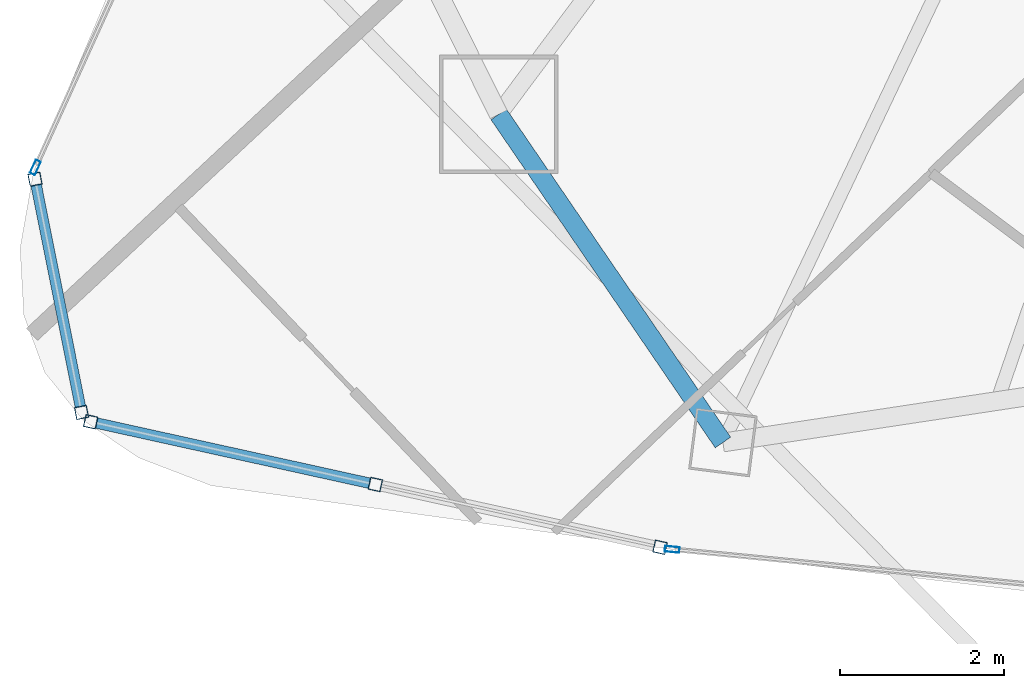
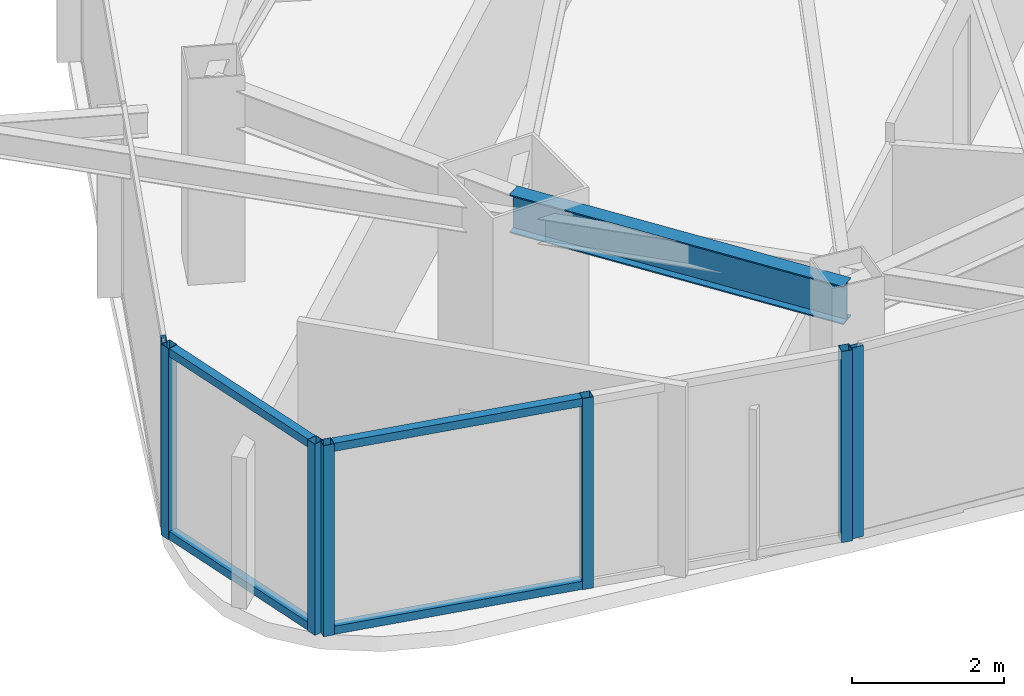
# One storey, part 2 of 29: 11 members, 1 beam, 4 elements without a shape of their own.
"""IFC4 building model written with IfcOpenShell, lengths in metres."""

from ifc_helpers import new_model, si_unit, direction, frame, origin, origin_2d, place, context, subcontext, project, spatial, hollow_rectangle, i_section, extrude, material, layer, layer_set, material_profile, profile_set, type_object, element, aggregate, save


model = new_model("IFC4")

# Units and contexts
model_context = context("Model", 3, precision=1e-05, world=origin(), true_north=direction((0.0, 1.0)))
body_context = subcontext(model_context, "Body", "Model", "MODEL_VIEW")
ifc_project = project(units=[si_unit("LENGTHUNIT", "METRE"), si_unit("AREAUNIT", "SQUARE_METRE"), si_unit("VOLUMEUNIT", "CUBIC_METRE"), si_unit("PLANEANGLEUNIT", "RADIAN"), si_unit("MASSUNIT", "GRAM", prefix="KILO")], contexts=[model_context])

# Site, building, storey
site_placement = place(None, origin())
site = spatial("IfcSite", under=ifc_project, at=site_placement, CompositionType="ELEMENT")
building_placement = place(site_placement, origin())
building = spatial("IfcBuilding", under=site, at=building_placement, Name="Orvanel Arch Residences", CompositionType="ELEMENT")
storey_placement = place(building_placement, frame((0.0, 0.0, 173.75)))
storey = spatial("IfcBuildingStorey", under=building, at=storey_placement, Name="L49", CompositionType="ELEMENT", Elevation=173.75)

# Curtain wall, members
ifc_material_1 = material(Name="Bronze-anodised aluminium AA6063-T6", Category="aluminium")
ifc_layer_1 = layer(ifc_material_1, 0.18994140625)
ifc_layer_set_1 = layer_set([ifc_layer_1], Name="Bronze-anodised aluminium AA6063-T6")
curtain_wall_type_1 = type_object("IfcCurtainWallType", Name="CW5-CRN-SYS", PredefinedType="NOTDEFINED", material=ifc_layer_set_1)
curtain_wall_1_placement = place(storey_placement, origin())
curtain_wall_1 = element("IfcCurtainWall", 1, at=curtain_wall_1_placement, inside=storey, type_object=curtain_wall_type_1, Name="L49 CW5-CRN-SYS Unitised Curtain Wall", PredefinedType="NOTDEFINED")
ifc_material_profile_1 = material_profile(ifc_material_1, hollow_rectangle(XDim=0.14990234375, YDim=0.14990234375, WallThickness=0.0048828125, at=origin_2d()), Name="ALU150x150x5")
ifc_profile_set_1 = profile_set([ifc_material_profile_1], Name="Bronze-anodised aluminium AA6063-T6")
member_type_1 = type_object("IfcMemberType", Name="MUL-150x150", PredefinedType="MULLION", material=ifc_profile_set_1)
member_1_placement = place(storey_placement, frame((8.52978515625, 9.558349609375, 0.0), z_axis=(0.0, 0.0, 1.0), x_axis=(0.980693707054, 0.19555012898, 0.0)))
member_1 = element("IfcMember", 2, at=member_1_placement, type_object=member_type_1, Name="CW-S5 mullion 1", PredefinedType="MULLION", context=body_context, shape_type="SweptSolid", body=[
    extrude(hollow_rectangle(XDim=0.14990234375, YDim=0.14990234375, WallThickness=0.0048828125, at=origin_2d()), origin(), (0.0, 0.0, 1.0), 3.06005859375),
])
member_2_placement = place(storey_placement, frame((9.098388671875, 6.70654296875, 0.0), z_axis=(0.0, 0.0, 1.0), x_axis=(0.980693707054, 0.19555012898, 0.0)))
member_2 = element("IfcMember", 3, at=member_2_placement, type_object=member_type_1, Name="CW-S5 mullion 2", PredefinedType="MULLION", context=body_context, shape_type="SweptSolid", body=[
    extrude(hollow_rectangle(XDim=0.14990234375, YDim=0.14990234375, WallThickness=0.0048828125, at=origin_2d()), origin(), (0.0, 0.0, 1.0), 3.06005859375),
])

curtain_wall_2_placement = place(storey_placement, origin())
curtain_wall_2 = element("IfcCurtainWall", 4, at=curtain_wall_2_placement, inside=storey, type_object=curtain_wall_type_1, Name="L49 CW5-CRN-SYS Unitised Curtain Wall", PredefinedType="NOTDEFINED")
member_3_placement = place(storey_placement, frame((9.210205078125, 6.5927734375, 0.0), z_axis=(0.0, 0.0, 1.0), x_axis=(0.2152863482, 0.97655096553, 0.0)))
member_3 = element("IfcMember", 5, at=member_3_placement, type_object=member_type_1, Name="CW-S5 mullion 1", PredefinedType="MULLION", context=body_context, shape_type="SweptSolid", body=[
    extrude(hollow_rectangle(XDim=0.14990234375, YDim=0.14990234375, WallThickness=0.0048828125, at=origin_2d()), origin(), (0.0, 0.0, 1.0), 3.06005859375),
])
member_4_placement = place(storey_placement, frame((12.69091796875, 5.825439453125, 0.0), z_axis=(0.0, 0.0, 1.0), x_axis=(0.2152863482, 0.97655096553, 0.0)))
member_4 = element("IfcMember", 6, at=member_4_placement, type_object=member_type_1, Name="CW-S5 mullion 2", PredefinedType="MULLION", context=body_context, shape_type="SweptSolid", body=[
    extrude(hollow_rectangle(XDim=0.14990234375, YDim=0.14990234375, WallThickness=0.0048828125, at=origin_2d()), origin(), (0.0, 0.0, 1.0), 3.06005859375),
])
member_5_placement = place(storey_placement, frame((16.171875, 5.05810546875, 0.0), z_axis=(0.0, 0.0, 1.0), x_axis=(0.2152863482, 0.97655096553, 0.0)))
member_5 = element("IfcMember", 7, at=member_5_placement, type_object=member_type_1, Name="CW-S5 mullion 3", PredefinedType="MULLION", context=body_context, shape_type="SweptSolid", body=[
    extrude(hollow_rectangle(XDim=0.14990234375, YDim=0.14990234375, WallThickness=0.0048828125, at=origin_2d()), origin(), (0.0, 0.0, 1.0), 3.06005859375),
])

# Curtain wall, member
ifc_layer_2 = layer(ifc_material_1, 0.179931640625)
ifc_layer_set_2 = layer_set([ifc_layer_2], Name="Bronze-anodised aluminium AA6063-T6")
curtain_wall_type_2 = type_object("IfcCurtainWallType", Name="CW3-MID-SYS", PredefinedType="NOTDEFINED", material=ifc_layer_set_2)
curtain_wall_3_placement = place(storey_placement, origin())
curtain_wall_3 = element("IfcCurtainWall", 8, at=curtain_wall_3_placement, inside=storey, type_object=curtain_wall_type_2, Name="L49 CW3-MID-SYS Unitised Curtain Wall", PredefinedType="NOTDEFINED")
ifc_material_profile_2 = material_profile(ifc_material_1, hollow_rectangle(XDim=0.070068359375, YDim=0.179931640625, WallThickness=0.00439453125, at=origin_2d()), Name="ALU180x70x4.5")
ifc_profile_set_2 = profile_set([ifc_material_profile_2], Name="Bronze-anodised aluminium AA6063-T6")
member_type_2 = type_object("IfcMemberType", Name="MUL-180x70", PredefinedType="MULLION", material=ifc_profile_set_2)
member_6_placement = place(storey_placement, frame((8.533447265625, 9.701904296875, 0.0), z_axis=(0.0, 0.0, 1.0), x_axis=(0.910855054441, -0.412726386119, 0.0)))
member_6 = element("IfcMember", 9, at=member_6_placement, type_object=member_type_2, Name="CW-S3 mullion 4", PredefinedType="MULLION", context=body_context, shape_type="SweptSolid", body=[
    extrude(hollow_rectangle(XDim=0.070068359375, YDim=0.179931640625, WallThickness=0.00439453125, at=origin_2d()), origin(), (0.0, 0.0, 1.0), 3.06005859375),
])
aggregate(curtain_wall_3, [member_6])

curtain_wall_4_placement = place(storey_placement, origin())
curtain_wall_4 = element("IfcCurtainWall", 10, at=curtain_wall_4_placement, inside=storey, type_object=curtain_wall_type_2, Name="L49 CW3-MID-SYS Unitised Curtain Wall", PredefinedType="NOTDEFINED")
member_7_placement = place(storey_placement, frame((16.31982421875, 5.032470703125, 0.0), z_axis=(0.0, 0.0, 1.0), x_axis=(0.097491445455, 0.995236362912, 0.0)))
member_7 = element("IfcMember", 11, at=member_7_placement, type_object=member_type_2, Name="CW-S3 mullion 1", PredefinedType="MULLION", context=body_context, shape_type="SweptSolid", body=[
    extrude(hollow_rectangle(XDim=0.070068359375, YDim=0.179931640625, WallThickness=0.00439453125, at=origin_2d()), origin(), (0.0, 0.0, 1.0), 3.06005859375),
])
aggregate(curtain_wall_4, [member_7])

# Beam
ifc_material_2 = material(Name="Structural steel AS/NZS 3679.1 Grade 300 (300 MPa)", Category="steel")
ifc_material_profile_3 = material_profile(ifc_material_2, i_section(OverallWidth=0.22900390625, OverallDepth=0.612060546875, WebThickness=0.011962890625, FlangeThickness=0.01953125, at=origin_2d()), Name="610UB125")
ifc_profile_set_3 = profile_set([ifc_material_profile_3], Name="Structural steel AS/NZS 3679.1 Grade 300 (300 MPa)")
beam_type = type_object("IfcBeamType", Name="SP-610UB", PredefinedType="SPANDREL", material=ifc_profile_set_3)
beam_placement = place(storey_placement, frame((14.198974609375, 10.35107421875, 2.75390625), z_axis=(0.564251579852, -0.825602903722, 0.0), x_axis=(0.825602903722, 0.564251579852, 0.0)))
element("IfcBeam", 12, at=beam_placement, inside=storey, type_object=beam_type, Name="L49 Perimeter Spandrel Beam 03", PredefinedType="SPANDREL", context=body_context, shape_type="SweptSolid", body=[
    extrude(i_section(OverallWidth=0.22900390625, OverallDepth=0.612060546875, WebThickness=0.011962890625, FlangeThickness=0.01953125, at=origin_2d()), origin(), (0.0, 0.0, 1.0), 4.859375),
])

# Member
ifc_material_profile_4 = material_profile(ifc_material_1, hollow_rectangle(XDim=0.1298828125, YDim=0.1298828125, WallThickness=0.00439453125, at=origin_2d()), Name="ALU130x130x4.5")
ifc_profile_set_4 = profile_set([ifc_material_profile_4], Name="Bronze-anodised aluminium AA6063-T6")
member_type_3 = type_object("IfcMemberType", Name="TRN-130x130", PredefinedType="USERDEFINED", material=ifc_profile_set_4)
member_8_placement = place(storey_placement, frame((8.54443359375, 9.48486328125, 0.06494140625), z_axis=(0.195537326288, -0.980696259822, 0.0), x_axis=(0.980696259822, 0.195537326288, 0.0)))
member_8 = element("IfcMember", 13, at=member_8_placement, type_object=member_type_3, Name="CW-S5 transom 1.1", ObjectType="TRANSOM", PredefinedType="USERDEFINED", context=body_context, shape_type="SweptSolid", body=[
    extrude(hollow_rectangle(XDim=0.1298828125, YDim=0.1298828125, WallThickness=0.00439453125, at=origin_2d()), origin(), (0.0, 0.0, 1.0), 2.758056640625),
])

member_9_placement = place(storey_placement, frame((8.54443359375, 9.48486328125, 2.9951171875), z_axis=(0.195537326288, -0.980696259822, 0.0), x_axis=(0.980696259822, 0.195537326288, 0.0)))
member_9 = element("IfcMember", 14, at=member_9_placement, type_object=member_type_3, Name="CW-S5 transom 1.2", ObjectType="TRANSOM", PredefinedType="USERDEFINED", context=body_context, shape_type="SweptSolid", body=[
    extrude(hollow_rectangle(XDim=0.1298828125, YDim=0.1298828125, WallThickness=0.00439453125, at=origin_2d()), origin(), (0.0, 0.0, 1.0), 2.758056640625),
])

aggregate(curtain_wall_1, [member_1, member_2, member_8, member_9])

member_10_placement = place(storey_placement, frame((9.283447265625, 6.57666015625, 0.06494140625), z_axis=(0.976547435533, -0.215302359844, 0.0), x_axis=(0.215302359844, 0.976547435533, 0.0)))
member_10 = element("IfcMember", 15, at=member_10_placement, type_object=member_type_3, Name="CW-S5 transom 1.1", ObjectType="TRANSOM", PredefinedType="USERDEFINED", context=body_context, shape_type="SweptSolid", body=[
    extrude(hollow_rectangle(XDim=0.1298828125, YDim=0.1298828125, WallThickness=0.00439453125, at=origin_2d()), origin(), (0.0, 0.0, 1.0), 3.414306640625),
])

member_11_placement = place(storey_placement, frame((9.283447265625, 6.57666015625, 2.9951171875), z_axis=(0.976547435533, -0.215302359844, 0.0), x_axis=(0.215302359844, 0.976547435533, 0.0)))
member_11 = element("IfcMember", 16, at=member_11_placement, type_object=member_type_3, Name="CW-S5 transom 1.2", ObjectType="TRANSOM", PredefinedType="USERDEFINED", context=body_context, shape_type="SweptSolid", body=[
    extrude(hollow_rectangle(XDim=0.1298828125, YDim=0.1298828125, WallThickness=0.00439453125, at=origin_2d()), origin(), (0.0, 0.0, 1.0), 3.414306640625),
])

aggregate(curtain_wall_2, [member_3, member_4, member_5, member_10, member_11])

save(model, "model.ifc")
